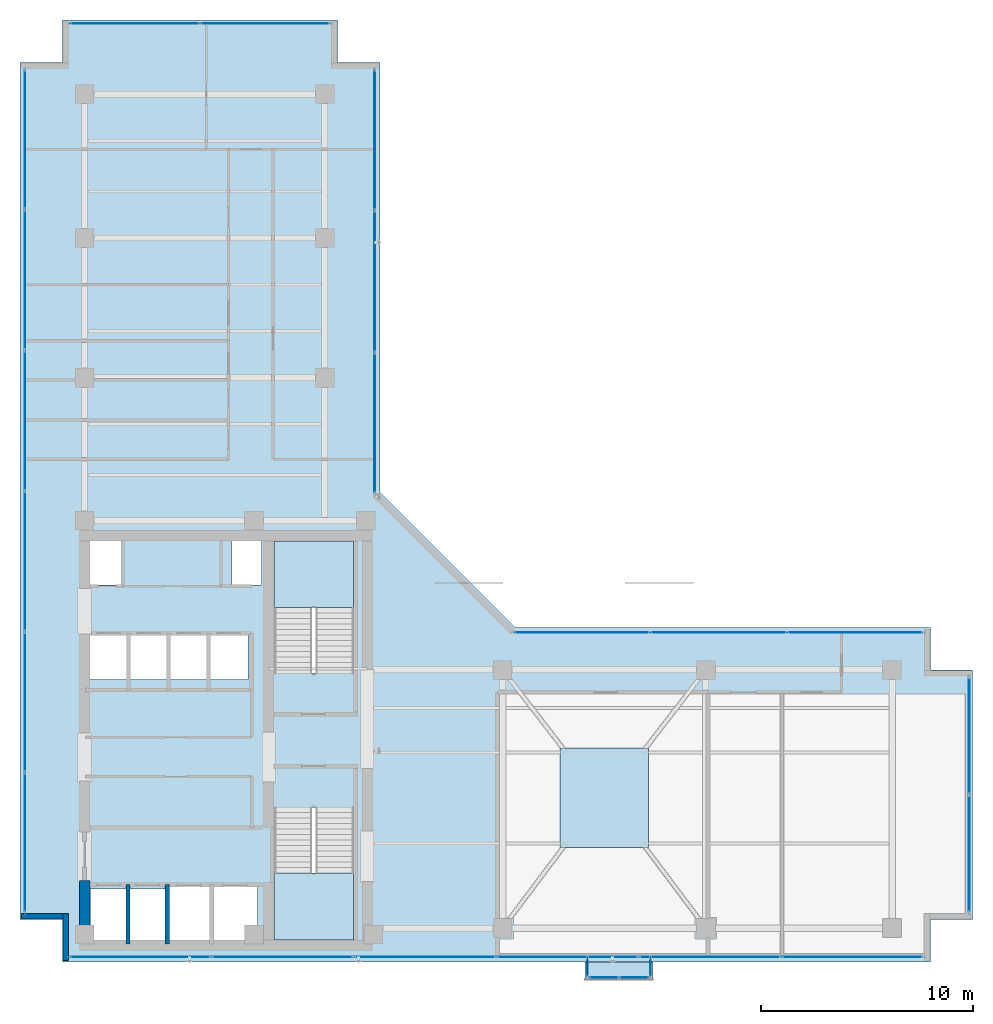
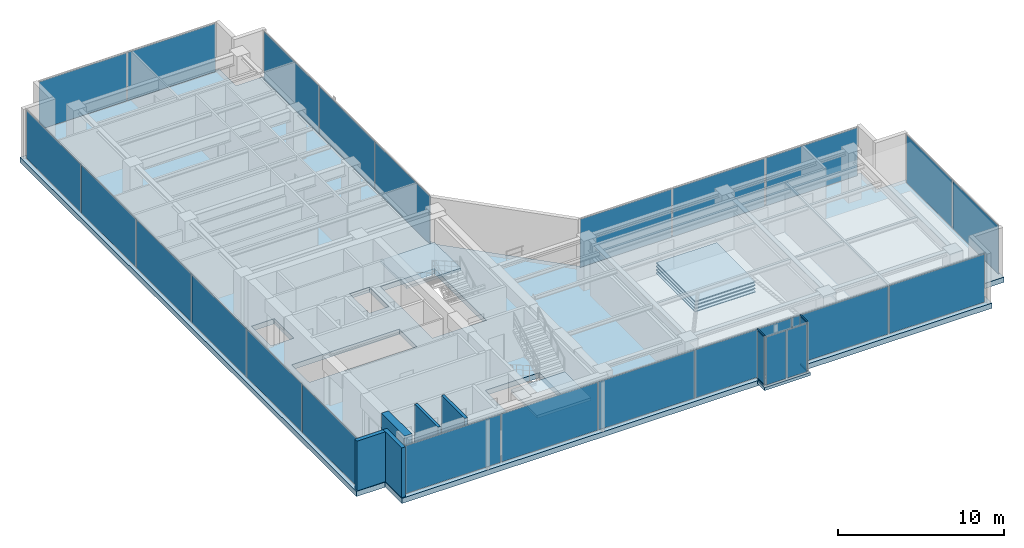
# One storey, part 23 of 31: 30 plates, 5 walls, 4 members, 4 slabs, 11 elements without a shape of their own.
"""IFC4 building model written with IfcOpenShell, lengths in metres."""

from ifc_helpers import new_model, si_unit, direction, frame, frame_2d, origin, origin_with_axes, origin_2d, place, context, subcontext, project, spatial, polyline, rectangle, hollow_rectangle, outline, extrude, source, transform, mapped, material, layer, layer_set, material_profile, profile_set, type_object, element, aggregate, save


model = new_model("IFC4")

# Units and contexts
model_context = context("Model", 3, precision=1e-05, world=origin(), true_north=direction((0.0, 1.0)))
body_context = subcontext(model_context, "Body", "Model", "MODEL_VIEW")
ifc_project = project(units=[si_unit("LENGTHUNIT", "METRE"), si_unit("AREAUNIT", "SQUARE_METRE"), si_unit("VOLUMEUNIT", "CUBIC_METRE"), si_unit("PLANEANGLEUNIT", "RADIAN"), si_unit("MASSUNIT", "GRAM", prefix="KILO")], contexts=[model_context])

# Site, building, storey
site_placement = place(None, origin())
site = spatial("IfcSite", under=ifc_project, at=site_placement, CompositionType="ELEMENT")
building_placement = place(site_placement, origin())
building = spatial("IfcBuilding", under=site, at=building_placement, Name="Kolvaren Waterfront Exchange", CompositionType="ELEMENT")
storey_placement = place(building_placement, frame((0.0, 0.0, 344.199951171875)))
storey = spatial("IfcBuildingStorey", under=building, at=storey_placement, Name="L88", CompositionType="ELEMENT", Elevation=344.199951171875)

# Curtain wall, members
ifc_material_1 = material(Name="Anodised bronze aluminium 6063-T6", Category="aluminium")
ifc_layer_1 = layer(ifc_material_1, 0.219970703125, Name="Anodised bronze aluminium 6063-T6")
ifc_layer_set_1 = layer_set([ifc_layer_1], Name="Anodised bronze aluminium 6063-T6")
curtain_wall_type_1 = type_object("IfcCurtainWallType", Name="ARC-CW-SYS3", PredefinedType="USERDEFINED", material=ifc_layer_set_1)
curtain_wall_1_placement = place(storey_placement, origin())
curtain_wall_1 = element("IfcCurtainWall", 1, at=curtain_wall_1_placement, inside=storey, type_object=curtain_wall_type_1, Name="L88 stick curtain wall CW3 (CW-L88-BOX-W)", ObjectType="STICK CURTAIN WALL", PredefinedType="USERDEFINED")
ifc_material_profile = material_profile(ifc_material_1, hollow_rectangle(XDim=0.06494140625, YDim=0.1298828125, WallThickness=0.00390625, at=origin_2d()), Name="ALU-TRN-130x65x4")
ifc_profile_set = profile_set([ifc_material_profile], Name="Anodised bronze aluminium 6063-T6")
member_type = type_object("IfcMemberType", Name="ARC-CWT-130", PredefinedType="USERDEFINED", material=ifc_profile_set)
shared_shape_1 = source(origin_with_axes(), body_context, "Body", "SweptSolid", [
    extrude(hollow_rectangle(XDim=0.06494140625, YDim=0.1298828125, WallThickness=0.00390625, at=origin_2d()), origin(), (0.0, 0.0, 1.0), 0.829833984375),
])
member_1_placement = place(storey_placement, frame((31.2099609375, 3.764892578125, 0.032470703125), z_axis=(0.0, -1.0, 0.0), x_axis=(1.0, 0.0, 0.0)))
member_1 = element("IfcMember", 2, at=member_1_placement, type_object=member_type, Name="CW3 transom 1.1", ObjectType="TRANSOM", PredefinedType="USERDEFINED", context=body_context, shape_type="MappedRepresentation", body=[
    mapped(shared_shape_1, transform((0.0, 0.0, 0.0), x_axis=(1.0, 0.0, 0.0), y_axis=(0.0, 1.0, 0.0), z_axis=(0.0, 0.0, 1.0), scale=1.0)),
])
member_2_placement = place(storey_placement, frame((31.2099609375, 3.764892578125, 3.62744140625), z_axis=(0.0, -1.0, 0.0), x_axis=(1.0, 0.0, 0.0)))
member_2 = element("IfcMember", 3, at=member_2_placement, type_object=member_type, Name="CW3 transom 1.2", ObjectType="TRANSOM", PredefinedType="USERDEFINED", context=body_context, shape_type="MappedRepresentation", body=[
    mapped(shared_shape_1, transform((0.0, 0.0, 0.0), x_axis=(1.0, 0.0, 0.0), y_axis=(0.0, 1.0, 0.0), z_axis=(0.0, 0.0, 1.0), scale=1.0)),
])

curtain_wall_2_placement = place(storey_placement, origin())
curtain_wall_2 = element("IfcCurtainWall", 4, at=curtain_wall_2_placement, inside=storey, type_object=curtain_wall_type_1, Name="L88 stick curtain wall CW3 (CW-L88-BOX-E)", ObjectType="STICK CURTAIN WALL", PredefinedType="USERDEFINED")
member_3_placement = place(storey_placement, frame((34.18994140625, 2.93505859375, 0.032470703125), z_axis=(0.0, 1.0, 0.0), x_axis=(-1.0, 0.0, 0.0)))
member_3 = element("IfcMember", 5, at=member_3_placement, type_object=member_type, Name="CW3 transom 1.1", ObjectType="TRANSOM", PredefinedType="USERDEFINED", context=body_context, shape_type="MappedRepresentation", body=[
    mapped(shared_shape_1, transform((0.0, 0.0, 0.0), x_axis=(1.0, 0.0, 0.0), y_axis=(0.0, 1.0, 0.0), z_axis=(0.0, 0.0, 1.0), scale=1.0)),
])
member_4_placement = place(storey_placement, frame((34.18994140625, 2.93505859375, 3.62744140625), z_axis=(0.0, 1.0, 0.0), x_axis=(-1.0, 0.0, 0.0)))
member_4 = element("IfcMember", 6, at=member_4_placement, type_object=member_type, Name="CW3 transom 1.2", ObjectType="TRANSOM", PredefinedType="USERDEFINED", context=body_context, shape_type="MappedRepresentation", body=[
    mapped(shared_shape_1, transform((0.0, 0.0, 0.0), x_axis=(1.0, 0.0, 0.0), y_axis=(0.0, 1.0, 0.0), z_axis=(0.0, 0.0, 1.0), scale=1.0)),
])

# Stair, slab
ifc_material_2 = material(Name="Concrete C40/50", Category="concrete")
stair_type = type_object("IfcStairType", Name="ARC-STAIR-3900", PredefinedType="HALF_TURN_STAIR", material=ifc_material_2)
stair_1_placement = place(storey_placement, origin())
stair_1 = element("IfcStair", 7, at=stair_1_placement, inside=storey, type_object=stair_type, Name="L88 Smoke-proof exit stair ST1", PredefinedType="HALF_TURN_STAIR")
ifc_layer_2 = layer(ifc_material_2, 0.199951171875, Name="Concrete C40/50")
ifc_layer_set_2 = layer_set([ifc_layer_2], Name="Concrete C40/50")
slab_type_1 = type_object("IfcSlabType", Name="STR-LANDING-200", PredefinedType="LANDING", material=ifc_layer_set_2)
slab_1_placement = place(storey_placement, frame((0.0, 0.0, 1.75)))
slab_1 = element("IfcSlab", 8, at=slab_1_placement, type_object=slab_type_1, Name="ST1 landing 1", PredefinedType="LANDING", context=body_context, shape_type="SweptSolid", body=[
    extrude(outline(polyline([(16.39990234375, 7.81005859375), (16.39990234375, 4.64990234375), (20.159912109375, 4.64990234375), (20.159912109375, 7.81005859375), (16.39990234375, 7.81005859375)])), origin(), (0.0, 0.0, 1.0), 0.199951171875),
])
aggregate(stair_1, [slab_1])

stair_2_placement = place(storey_placement, origin())
stair_2 = element("IfcStair", 9, at=stair_2_placement, inside=storey, type_object=stair_type, Name="L88 Smoke-proof exit stair ST2", PredefinedType="HALF_TURN_STAIR")
slab_2_placement = place(storey_placement, frame((0.0, 0.0, 1.75)))
slab_2 = element("IfcSlab", 10, at=slab_2_placement, type_object=slab_type_1, Name="ST2 landing 1", PredefinedType="LANDING", context=body_context, shape_type="SweptSolid", body=[
    extrude(outline(polyline([(20.159912109375, 20.340087890625), (20.159912109375, 23.5), (16.39990234375, 23.5), (16.39990234375, 20.340087890625), (20.159912109375, 20.340087890625)])), origin(), (0.0, 0.0, 1.0), 0.199951171875),
])
aggregate(stair_2, [slab_2])

# Slabs
ifc_layer_3 = layer(ifc_material_2, 0.3798828125, Name="Concrete C40/50")
ifc_layer_set_3 = layer_set([ifc_layer_3], Name="Concrete C40/50")
slab_type_2 = type_object("IfcSlabType", Name="STR-SLAB-380", PredefinedType="FLOOR", material=ifc_layer_set_3)
slab_3_placement = place(storey_placement, frame((0.0, 0.0, -0.3798828125)))
element("IfcSlab", 11, at=slab_3_placement, inside=storey, type_object=slab_type_2, Name="L88 structural floor slab", PredefinedType="FLOOR", context=body_context, shape_type="SweptSolid", body=[
    extrude(outline(polyline([(6.39990234375, 3.60009765625), (47.39990234375, 3.60009765625), (47.39990234375, 5.60009765625), (49.39990234375, 5.60009765625), (49.39990234375, 17.39990234375), (47.39990234375, 17.39990234375), (47.39990234375, 19.39990234375), (27.800048828125, 19.39990234375), (21.39990234375, 25.800048828125), (21.39990234375, 46.10009765625), (19.39990234375, 46.10009765625), (19.39990234375, 48.10009765625), (6.39990234375, 48.10009765625), (6.39990234375, 46.10009765625), (4.39990234375, 46.10009765625), (4.39990234375, 5.60009765625), (6.39990234375, 5.60009765625), (6.39990234375, 3.60009765625)]), holes=[polyline([(11.320068359375, 7.260009765625), (15.610107421875, 7.260009765625), (15.610107421875, 4.5400390625), (7.719970703125, 4.5400390625), (7.719970703125, 7.06005859375), (11.320068359375, 7.06005859375), (11.320068359375, 7.260009765625)]), polyline([(20.159912109375, 10.89990234375), (20.159912109375, 4.64990234375), (16.39990234375, 4.64990234375), (16.39990234375, 10.89990234375), (20.159912109375, 10.89990234375)]), polyline([(7.669921875, 19.06005859375), (15.159912109375, 19.06005859375), (15.159912109375, 16.93994140625), (7.669921875, 16.93994140625), (7.669921875, 19.06005859375)]), polyline([(16.39990234375, 17.25), (16.39990234375, 23.5), (20.159912109375, 23.5), (20.159912109375, 17.25), (16.39990234375, 17.25)]), polyline([(7.60009765625, 23.780029296875), (9.179931640625, 23.780029296875), (9.179931640625, 21.419921875), (7.60009765625, 21.419921875), (7.60009765625, 23.780029296875)]), polyline([(14.419921875, 23.780029296875), (15.800048828125, 23.780029296875), (15.800048828125, 21.419921875), (14.419921875, 21.419921875), (14.419921875, 23.780029296875)])]), origin(), (0.0, 0.0, 1.0), 0.3798828125),
])
ifc_layer_4 = layer(ifc_material_2, 0.219970703125, Name="Concrete C40/50")
ifc_layer_set_4 = layer_set([ifc_layer_4], Name="Concrete C40/50")
slab_type_3 = type_object("IfcSlabType", Name="STR-TERR-220", PredefinedType="FLOOR", material=ifc_layer_set_4)
slab_4_placement = place(storey_placement, frame((0.0, 0.0, -0.219970703125)))
element("IfcSlab", 12, at=slab_4_placement, inside=storey, type_object=slab_type_3, Name="L88 projecting bay-box floor strip", PredefinedType="FLOOR", context=body_context, shape_type="SweptSolid", body=[
    extrude(outline(polyline([(31.10009765625, 2.75), (34.300048828125, 2.75), (34.300048828125, 3.60009765625), (31.10009765625, 3.60009765625), (31.10009765625, 2.75)])), origin(), (0.0, 0.0, 1.0), 0.219970703125),
])

# Plates
ifc_material_3 = material(Name="Steel S460", Category="steel")
ifc_layer_5 = layer(ifc_material_3, 0.06005859375, Name="Steel S460")
ifc_layer_set_5 = layer_set([ifc_layer_5], Name="Steel S460")
plate_type_1 = type_object("IfcPlateType", Name="STR-PL-TMD", PredefinedType="SHEET", material=ifc_layer_set_5)
shared_shape_2 = source(origin_with_axes(), body_context, "Body", "SweptSolid", [
    extrude(rectangle(XDim=4.199951171875, YDim=4.699951171875, at=origin_2d()), origin(), (0.0, 0.0, 1.0), 0.06005859375),
])
for number, where, z_axis, x_axis, name in (
    (13, (32.0, 11.35009765625, 2.169921875), (0.0, 0.0, 1.0), (1.0, 0.0, 0.0), "Crown 520t TUNED MASS DAMPER steel mass plate 1"),
    (14, (32.0, 11.35009765625, 2.419921875), (0.0, 0.0, 1.0), (1.0, 0.0, 0.0), "Crown 520t TUNED MASS DAMPER steel mass plate 2"),
    (15, (32.0, 11.35009765625, 2.669921875), (0.0, 0.0, 1.0), (1.0, 0.0, 0.0), "Crown 520t TUNED MASS DAMPER steel mass plate 3"),
    (16, (32.0, 11.35009765625, 2.919921875), (0.0, 0.0, 1.0), (1.0, 0.0, 0.0), "Crown 520t TUNED MASS DAMPER steel mass plate 4"),
):
    element("IfcPlate", number, at=place(storey_placement, frame(where, z_axis=z_axis, x_axis=x_axis)), inside=storey, type_object=plate_type_1, Name=name, PredefinedType="SHEET", context=body_context, shape_type="MappedRepresentation", body=[
        mapped(shared_shape_2, transform((0.0, 0.0, 0.0), x_axis=(1.0, 0.0, 0.0), y_axis=(0.0, 1.0, 0.0), z_axis=(0.0, 0.0, 1.0), scale=1.0)),
    ])

# Plate
ifc_material_4 = material(Name="Bronze tinted bay-box vision glass", Category="aluminium")
ifc_layer_6 = layer(ifc_material_4, 0.02392578125, Name="Bronze tinted bay-box vision glass")
ifc_layer_set_6 = layer_set([ifc_layer_6], Name="Bronze tinted bay-box vision glass")
plate_type_2 = type_object("IfcPlateType", Name="ARC-CWP-24", PredefinedType="CURTAIN_PANEL", material=ifc_layer_set_6)
shared_shape_3 = source(origin_with_axes(), body_context, "Body", "SweptSolid", [
    extrude(rectangle(XDim=0.830078125, YDim=0.02392578125, at=origin_2d()), origin(), (0.0, 0.0, 1.0), 3.530029296875),
])
plate_1_placement = place(storey_placement, frame((31.2099609375, 3.35009765625, 0.06494140625), z_axis=(0.0, 0.0, 1.0), x_axis=(0.0, -1.0, 0.0)))
plate_1 = element("IfcPlate", 17, at=plate_1_placement, type_object=plate_type_2, Name="CW3 panel 1.1", PredefinedType="CURTAIN_PANEL", context=body_context, shape_type="MappedRepresentation", body=[
    mapped(shared_shape_3, transform((0.0, 0.0, 0.0), x_axis=(1.0, 0.0, 0.0), y_axis=(0.0, 1.0, 0.0), z_axis=(0.0, 0.0, 1.0), scale=1.0)),
])

aggregate(curtain_wall_1, [member_1, member_2, plate_1])

plate_2_placement = place(storey_placement, frame((34.18994140625, 3.35009765625, 0.06494140625), z_axis=(0.0, 0.0, 1.0), x_axis=(0.0, 1.0, 0.0)))
plate_2 = element("IfcPlate", 18, at=plate_2_placement, type_object=plate_type_2, Name="CW3 panel 1.1", PredefinedType="CURTAIN_PANEL", context=body_context, shape_type="MappedRepresentation", body=[
    mapped(shared_shape_3, transform((0.0, 0.0, 0.0), x_axis=(1.0, 0.0, 0.0), y_axis=(0.0, 1.0, 0.0), z_axis=(0.0, 0.0, 1.0), scale=1.0)),
])

aggregate(curtain_wall_2, [member_3, member_4, plate_2])

# Curtain wall, plates
curtain_wall_3_placement = place(storey_placement, origin())
curtain_wall_3 = element("IfcCurtainWall", 19, at=curtain_wall_3_placement, inside=storey, type_object=curtain_wall_type_1, Name="L88 stick curtain wall CW3 (CW-L88-BOX)", ObjectType="STICK CURTAIN WALL", PredefinedType="USERDEFINED")
shared_shape_4 = source(origin_with_axes(), body_context, "Body", "SweptSolid", [
    extrude(rectangle(XDim=1.37744140625, YDim=0.02392578125, at=origin_2d()), origin(), (0.0, 0.0, 1.0), 3.530029296875),
])
plate_3_placement = place(storey_placement, frame((31.9736328125, 2.860107421875, 0.06494140625), z_axis=(0.0, 0.0, 1.0), x_axis=(1.0, 0.0, 0.0)))
plate_3 = element("IfcPlate", 20, at=plate_3_placement, type_object=plate_type_2, Name="CW3 panel 1.1", PredefinedType="CURTAIN_PANEL", context=body_context, shape_type="MappedRepresentation", body=[
    mapped(shared_shape_4, transform((0.0, 0.0, 0.0), x_axis=(1.0, 0.0, 0.0), y_axis=(0.0, 1.0, 0.0), z_axis=(0.0, 0.0, 1.0), scale=1.0)),
])
plate_4_placement = place(storey_placement, frame((33.42626953125, 2.860107421875, 0.06494140625), z_axis=(0.0, 0.0, 1.0), x_axis=(1.0, 0.0, 0.0)))
plate_4 = element("IfcPlate", 21, at=plate_4_placement, type_object=plate_type_2, Name="CW3 panel 2.1", PredefinedType="CURTAIN_PANEL", context=body_context, shape_type="MappedRepresentation", body=[
    mapped(shared_shape_4, transform((0.0, 0.0, 0.0), x_axis=(1.0, 0.0, 0.0), y_axis=(0.0, 1.0, 0.0), z_axis=(0.0, 0.0, 1.0), scale=1.0)),
])
aggregate(curtain_wall_3, [plate_3, plate_4])

ifc_layer_7 = layer(ifc_material_1, 0.219970703125, Name="Anodised bronze aluminium 6063-T6")
ifc_layer_set_7 = layer_set([ifc_layer_7], Name="Anodised bronze aluminium 6063-T6")
curtain_wall_type_2 = type_object("IfcCurtainWallType", Name="ARC-CW-SYS5", PredefinedType="USERDEFINED", material=ifc_layer_set_7)
curtain_wall_4_placement = place(storey_placement, origin())
curtain_wall_4 = element("IfcCurtainWall", 22, at=curtain_wall_4_placement, inside=storey, type_object=curtain_wall_type_2, Name="L88 stick curtain wall CW5 (CW-L88-S)", ObjectType="STICK CURTAIN WALL", PredefinedType="USERDEFINED")
ifc_material_5 = material(Name="Crown lantern clear solar glass", Category="glass")
ifc_layer_8 = layer(ifc_material_5, 0.030029296875, Name="Crown lantern clear solar glass")
ifc_layer_set_8 = layer_set([ifc_layer_8], Name="Crown lantern clear solar glass")
plate_type_3 = type_object("IfcPlateType", Name="ARC-CWP-30", PredefinedType="CURTAIN_PANEL", material=ifc_layer_set_8)
shared_shape_5 = source(origin_with_axes(), body_context, "Body", "SweptSolid", [
    extrude(rectangle(XDim=6.620849609375, YDim=0.030029296875, at=origin_2d()), origin(), (0.0, 0.0, 1.0), 3.530029296875),
])
plate_5_placement = place(storey_placement, frame((10.08544921875, 3.840087890625, 0.06494140625), z_axis=(0.0, 0.0, 1.0), x_axis=(1.0, 0.0, 0.0)))
plate_5 = element("IfcPlate", 23, at=plate_5_placement, type_object=plate_type_3, Name="CW5 panel 1.1", PredefinedType="CURTAIN_PANEL", context=body_context, shape_type="MappedRepresentation", body=[
    mapped(shared_shape_5, transform((0.0, 0.0, 0.0), x_axis=(1.0, 0.0, 0.0), y_axis=(0.0, 1.0, 0.0), z_axis=(0.0, 0.0, 1.0), scale=1.0)),
])
plate_6_placement = place(storey_placement, frame((43.714599609375, 3.840087890625, 0.06494140625), z_axis=(0.0, 0.0, 1.0), x_axis=(1.0, 0.0, 0.0)))
plate_6 = element("IfcPlate", 24, at=plate_6_placement, type_object=plate_type_3, Name="CW5 panel 6.1", PredefinedType="CURTAIN_PANEL", context=body_context, shape_type="MappedRepresentation", body=[
    mapped(shared_shape_5, transform((0.0, 0.0, 0.0), x_axis=(1.0, 0.0, 0.0), y_axis=(0.0, 1.0, 0.0), z_axis=(0.0, 0.0, 1.0), scale=1.0)),
])
shared_shape_6 = source(origin_with_axes(), body_context, "Body", "SweptSolid", [
    extrude(rectangle(XDim=6.658447265625, YDim=0.030029296875, at=origin_2d()), origin(), (0.0, 0.0, 1.0), 3.530029296875),
])
plate_7_placement = place(storey_placement, frame((16.800048828125, 3.840087890625, 0.06494140625), z_axis=(0.0, 0.0, 1.0), x_axis=(1.0, 0.0, 0.0)))
plate_7 = element("IfcPlate", 25, at=plate_7_placement, type_object=plate_type_3, Name="CW5 panel 2.1", PredefinedType="CURTAIN_PANEL", context=body_context, shape_type="MappedRepresentation", body=[
    mapped(shared_shape_6, transform((0.0, 0.0, 0.0), x_axis=(1.0, 0.0, 0.0), y_axis=(0.0, 1.0, 0.0), z_axis=(0.0, 0.0, 1.0), scale=1.0)),
])
plate_8_placement = place(storey_placement, frame((23.533447265625, 3.840087890625, 0.06494140625), z_axis=(0.0, 0.0, 1.0), x_axis=(1.0, 0.0, 0.0)))
plate_8 = element("IfcPlate", 26, at=plate_8_placement, type_object=plate_type_3, Name="CW5 panel 3.1", PredefinedType="CURTAIN_PANEL", context=body_context, shape_type="MappedRepresentation", body=[
    mapped(shared_shape_6, transform((0.0, 0.0, 0.0), x_axis=(1.0, 0.0, 0.0), y_axis=(0.0, 1.0, 0.0), z_axis=(0.0, 0.0, 1.0), scale=1.0)),
])
plate_9_placement = place(storey_placement, frame((30.2666015625, 3.840087890625, 0.06494140625), z_axis=(0.0, 0.0, 1.0), x_axis=(1.0, 0.0, 0.0)))
plate_9 = element("IfcPlate", 27, at=plate_9_placement, type_object=plate_type_3, Name="CW5 panel 4.1", PredefinedType="CURTAIN_PANEL", context=body_context, shape_type="MappedRepresentation", body=[
    mapped(shared_shape_6, transform((0.0, 0.0, 0.0), x_axis=(1.0, 0.0, 0.0), y_axis=(0.0, 1.0, 0.0), z_axis=(0.0, 0.0, 1.0), scale=1.0)),
])
plate_10_placement = place(storey_placement, frame((37.0, 3.840087890625, 0.06494140625), z_axis=(0.0, 0.0, 1.0), x_axis=(1.0, 0.0, 0.0)))
plate_10 = element("IfcPlate", 28, at=plate_10_placement, type_object=plate_type_3, Name="CW5 panel 5.1", PredefinedType="CURTAIN_PANEL", context=body_context, shape_type="MappedRepresentation", body=[
    mapped(shared_shape_6, transform((0.0, 0.0, 0.0), x_axis=(1.0, 0.0, 0.0), y_axis=(0.0, 1.0, 0.0), z_axis=(0.0, 0.0, 1.0), scale=1.0)),
])
aggregate(curtain_wall_4, [plate_5, plate_7, plate_8, plate_9, plate_10, plate_6])

curtain_wall_5_placement = place(storey_placement, origin())
curtain_wall_5 = element("IfcCurtainWall", 29, at=curtain_wall_5_placement, inside=storey, type_object=curtain_wall_type_2, Name="L88 stick curtain wall CW5 (CW-L88-W)", ObjectType="STICK CURTAIN WALL", PredefinedType="USERDEFINED")
shared_shape_7 = source(origin_with_axes(), body_context, "Body", "SweptSolid", [
    extrude(rectangle(XDim=6.53759765625, YDim=0.030029296875, at=origin_2d()), origin(), (0.0, 0.0, 1.0), 3.530029296875),
])
plate_11_placement = place(storey_placement, frame((4.639892578125, 9.24365234375, 0.06494140625), z_axis=(0.0, 0.0, 1.0), x_axis=(0.0, 1.0, 0.0)))
plate_11 = element("IfcPlate", 30, at=plate_11_placement, type_object=plate_type_3, Name="CW5 panel 1.1", PredefinedType="CURTAIN_PANEL", context=body_context, shape_type="MappedRepresentation", body=[
    mapped(shared_shape_7, transform((0.0, 0.0, 0.0), x_axis=(1.0, 0.0, 0.0), y_axis=(0.0, 1.0, 0.0), z_axis=(0.0, 0.0, 1.0), scale=1.0)),
])
plate_12_placement = place(storey_placement, frame((4.639892578125, 42.456298828125, 0.06494140625), z_axis=(0.0, 0.0, 1.0), x_axis=(0.0, 1.0, 0.0)))
plate_12 = element("IfcPlate", 31, at=plate_12_placement, type_object=plate_type_3, Name="CW5 panel 6.1", PredefinedType="CURTAIN_PANEL", context=body_context, shape_type="MappedRepresentation", body=[
    mapped(shared_shape_7, transform((0.0, 0.0, 0.0), x_axis=(1.0, 0.0, 0.0), y_axis=(0.0, 1.0, 0.0), z_axis=(0.0, 0.0, 1.0), scale=1.0)),
])
shared_shape_8 = source(origin_with_axes(), body_context, "Body", "SweptSolid", [
    extrude(rectangle(XDim=6.574951171875, YDim=0.030029296875, at=origin_2d()), origin(), (0.0, 0.0, 1.0), 3.530029296875),
])
plate_13_placement = place(storey_placement, frame((4.639892578125, 15.875, 0.06494140625), z_axis=(0.0, 0.0, 1.0), x_axis=(0.0, 1.0, 0.0)))
plate_13 = element("IfcPlate", 32, at=plate_13_placement, type_object=plate_type_3, Name="CW5 panel 2.1", PredefinedType="CURTAIN_PANEL", context=body_context, shape_type="MappedRepresentation", body=[
    mapped(shared_shape_8, transform((0.0, 0.0, 0.0), x_axis=(1.0, 0.0, 0.0), y_axis=(0.0, 1.0, 0.0), z_axis=(0.0, 0.0, 1.0), scale=1.0)),
])
plate_14_placement = place(storey_placement, frame((4.639892578125, 22.52490234375, 0.06494140625), z_axis=(0.0, 0.0, 1.0), x_axis=(0.0, 1.0, 0.0)))
plate_14 = element("IfcPlate", 33, at=plate_14_placement, type_object=plate_type_3, Name="CW5 panel 3.1", PredefinedType="CURTAIN_PANEL", context=body_context, shape_type="MappedRepresentation", body=[
    mapped(shared_shape_8, transform((0.0, 0.0, 0.0), x_axis=(1.0, 0.0, 0.0), y_axis=(0.0, 1.0, 0.0), z_axis=(0.0, 0.0, 1.0), scale=1.0)),
])
plate_15_placement = place(storey_placement, frame((4.639892578125, 29.175048828125, 0.06494140625), z_axis=(0.0, 0.0, 1.0), x_axis=(0.0, 1.0, 0.0)))
plate_15 = element("IfcPlate", 34, at=plate_15_placement, type_object=plate_type_3, Name="CW5 panel 4.1", PredefinedType="CURTAIN_PANEL", context=body_context, shape_type="MappedRepresentation", body=[
    mapped(shared_shape_8, transform((0.0, 0.0, 0.0), x_axis=(1.0, 0.0, 0.0), y_axis=(0.0, 1.0, 0.0), z_axis=(0.0, 0.0, 1.0), scale=1.0)),
])
plate_16_placement = place(storey_placement, frame((4.639892578125, 35.824951171875, 0.06494140625), z_axis=(0.0, 0.0, 1.0), x_axis=(0.0, 1.0, 0.0)))
plate_16 = element("IfcPlate", 35, at=plate_16_placement, type_object=plate_type_3, Name="CW5 panel 5.1", PredefinedType="CURTAIN_PANEL", context=body_context, shape_type="MappedRepresentation", body=[
    mapped(shared_shape_8, transform((0.0, 0.0, 0.0), x_axis=(1.0, 0.0, 0.0), y_axis=(0.0, 1.0, 0.0), z_axis=(0.0, 0.0, 1.0), scale=1.0)),
])
aggregate(curtain_wall_5, [plate_11, plate_13, plate_14, plate_15, plate_16, plate_12])

curtain_wall_6_placement = place(storey_placement, origin())
curtain_wall_6 = element("IfcCurtainWall", 36, at=curtain_wall_6_placement, inside=storey, type_object=curtain_wall_type_2, Name="L88 stick curtain wall CW5 (CW-L88-NE)", ObjectType="STICK CURTAIN WALL", PredefinedType="USERDEFINED")
shared_shape_9 = source(origin_with_axes(), body_context, "Body", "SweptSolid", [
    extrude(rectangle(XDim=6.5908203125, YDim=0.030029296875, at=origin_2d()), origin(), (0.0, 0.0, 1.0), 3.530029296875),
])
plate_17_placement = place(storey_placement, frame((21.159912109375, 29.060302734375, 0.06494140625), z_axis=(0.0, 0.0, 1.0), x_axis=(0.0, 1.0, 0.0)))
plate_17 = element("IfcPlate", 37, at=plate_17_placement, type_object=plate_type_3, Name="CW5 panel 1.1", PredefinedType="CURTAIN_PANEL", context=body_context, shape_type="MappedRepresentation", body=[
    mapped(shared_shape_9, transform((0.0, 0.0, 0.0), x_axis=(1.0, 0.0, 0.0), y_axis=(0.0, 1.0, 0.0), z_axis=(0.0, 0.0, 1.0), scale=1.0)),
])
plate_18_placement = place(storey_placement, frame((21.159912109375, 42.4296875, 0.06494140625), z_axis=(0.0, 0.0, 1.0), x_axis=(0.0, 1.0, 0.0)))
plate_18 = element("IfcPlate", 38, at=plate_18_placement, type_object=plate_type_3, Name="CW5 panel 3.1", PredefinedType="CURTAIN_PANEL", context=body_context, shape_type="MappedRepresentation", body=[
    mapped(shared_shape_9, transform((0.0, 0.0, 0.0), x_axis=(1.0, 0.0, 0.0), y_axis=(0.0, 1.0, 0.0), z_axis=(0.0, 0.0, 1.0), scale=1.0)),
])
shared_shape_10 = source(origin_with_axes(), body_context, "Body", "SweptSolid", [
    extrude(rectangle(XDim=6.62841796875, YDim=0.030029296875, at=origin_2d()), origin(), (0.0, 0.0, 1.0), 3.530029296875),
])
plate_19_placement = place(storey_placement, frame((21.159912109375, 35.7451171875, 0.06494140625), z_axis=(0.0, 0.0, 1.0), x_axis=(0.0, 1.0, 0.0)))
plate_19 = element("IfcPlate", 39, at=plate_19_placement, type_object=plate_type_3, Name="CW5 panel 2.1", PredefinedType="CURTAIN_PANEL", context=body_context, shape_type="MappedRepresentation", body=[
    mapped(shared_shape_10, transform((0.0, 0.0, 0.0), x_axis=(1.0, 0.0, 0.0), y_axis=(0.0, 1.0, 0.0), z_axis=(0.0, 0.0, 1.0), scale=1.0)),
])
aggregate(curtain_wall_6, [plate_17, plate_19, plate_18])

curtain_wall_7_placement = place(storey_placement, origin())
curtain_wall_7 = element("IfcCurtainWall", 40, at=curtain_wall_7_placement, inside=storey, type_object=curtain_wall_type_2, Name="L88 stick curtain wall CW5 (CW-L88-EN)", ObjectType="STICK CURTAIN WALL", PredefinedType="USERDEFINED")
shared_shape_11 = source(origin_with_axes(), body_context, "Body", "SweptSolid", [
    extrude(rectangle(XDim=6.357421875, YDim=0.030029296875, at=origin_2d()), origin(), (0.0, 0.0, 1.0), 3.530029296875),
])
plate_20_placement = place(storey_placement, frame((30.94384765625, 19.159912109375, 0.06494140625), z_axis=(0.0, 0.0, 1.0), x_axis=(1.0, 0.0, 0.0)))
plate_20 = element("IfcPlate", 41, at=plate_20_placement, type_object=plate_type_3, Name="CW5 panel 1.1", PredefinedType="CURTAIN_PANEL", context=body_context, shape_type="MappedRepresentation", body=[
    mapped(shared_shape_11, transform((0.0, 0.0, 0.0), x_axis=(1.0, 0.0, 0.0), y_axis=(0.0, 1.0, 0.0), z_axis=(0.0, 0.0, 1.0), scale=1.0)),
])
plate_21_placement = place(storey_placement, frame((43.84619140625, 19.159912109375, 0.06494140625), z_axis=(0.0, 0.0, 1.0), x_axis=(1.0, 0.0, 0.0)))
plate_21 = element("IfcPlate", 42, at=plate_21_placement, type_object=plate_type_3, Name="CW5 panel 3.1", PredefinedType="CURTAIN_PANEL", context=body_context, shape_type="MappedRepresentation", body=[
    mapped(shared_shape_11, transform((0.0, 0.0, 0.0), x_axis=(1.0, 0.0, 0.0), y_axis=(0.0, 1.0, 0.0), z_axis=(0.0, 0.0, 1.0), scale=1.0)),
])
shared_shape_12 = source(origin_with_axes(), body_context, "Body", "SweptSolid", [
    extrude(rectangle(XDim=6.39501953125, YDim=0.030029296875, at=origin_2d()), origin(), (0.0, 0.0, 1.0), 3.530029296875),
])
plate_22_placement = place(storey_placement, frame((37.39501953125, 19.159912109375, 0.06494140625), z_axis=(0.0, 0.0, 1.0), x_axis=(1.0, 0.0, 0.0)))
plate_22 = element("IfcPlate", 43, at=plate_22_placement, type_object=plate_type_3, Name="CW5 panel 2.1", PredefinedType="CURTAIN_PANEL", context=body_context, shape_type="MappedRepresentation", body=[
    mapped(shared_shape_12, transform((0.0, 0.0, 0.0), x_axis=(1.0, 0.0, 0.0), y_axis=(0.0, 1.0, 0.0), z_axis=(0.0, 0.0, 1.0), scale=1.0)),
])
aggregate(curtain_wall_7, [plate_20, plate_22, plate_21])

curtain_wall_8_placement = place(storey_placement, origin())
curtain_wall_8 = element("IfcCurtainWall", 44, at=curtain_wall_8_placement, inside=storey, type_object=curtain_wall_type_2, Name="L88 stick curtain wall CW5 (CW-L88-ET)", ObjectType="STICK CURTAIN WALL", PredefinedType="USERDEFINED")
shared_shape_13 = source(origin_with_axes(), body_context, "Body", "SweptSolid", [
    extrude(rectangle(XDim=5.487548828125, YDim=0.030029296875, at=origin_2d()), origin(), (0.0, 0.0, 1.0), 3.530029296875),
])
plate_23_placement = place(storey_placement, frame((49.239990234375, 8.71875, 0.06494140625), z_axis=(0.0, 0.0, 1.0), x_axis=(0.0, 1.0, 0.0)))
plate_23 = element("IfcPlate", 45, at=plate_23_placement, type_object=plate_type_3, Name="CW5 panel 1.1", PredefinedType="CURTAIN_PANEL", context=body_context, shape_type="MappedRepresentation", body=[
    mapped(shared_shape_13, transform((0.0, 0.0, 0.0), x_axis=(1.0, 0.0, 0.0), y_axis=(0.0, 1.0, 0.0), z_axis=(0.0, 0.0, 1.0), scale=1.0)),
])
plate_24_placement = place(storey_placement, frame((49.239990234375, 14.28125, 0.06494140625), z_axis=(0.0, 0.0, 1.0), x_axis=(0.0, 1.0, 0.0)))
plate_24 = element("IfcPlate", 46, at=plate_24_placement, type_object=plate_type_3, Name="CW5 panel 2.1", PredefinedType="CURTAIN_PANEL", context=body_context, shape_type="MappedRepresentation", body=[
    mapped(shared_shape_13, transform((0.0, 0.0, 0.0), x_axis=(1.0, 0.0, 0.0), y_axis=(0.0, 1.0, 0.0), z_axis=(0.0, 0.0, 1.0), scale=1.0)),
])
aggregate(curtain_wall_8, [plate_23, plate_24])

curtain_wall_9_placement = place(storey_placement, origin())
curtain_wall_9 = element("IfcCurtainWall", 47, at=curtain_wall_9_placement, inside=storey, type_object=curtain_wall_type_2, Name="L88 stick curtain wall CW5 (CW-L88-NT)", ObjectType="STICK CURTAIN WALL", PredefinedType="USERDEFINED")
shared_shape_14 = source(origin_with_axes(), body_context, "Body", "SweptSolid", [
    extrude(rectangle(XDim=6.08740234375, YDim=0.030029296875, at=origin_2d()), origin(), (0.0, 0.0, 1.0), 3.530029296875),
])
plate_25_placement = place(storey_placement, frame((9.81884765625, 47.93994140625, 0.06494140625), z_axis=(0.0, 0.0, 1.0), x_axis=(1.0, 0.0, 0.0)))
plate_25 = element("IfcPlate", 48, at=plate_25_placement, type_object=plate_type_3, Name="CW5 panel 1.1", PredefinedType="CURTAIN_PANEL", context=body_context, shape_type="MappedRepresentation", body=[
    mapped(shared_shape_14, transform((0.0, 0.0, 0.0), x_axis=(1.0, 0.0, 0.0), y_axis=(0.0, 1.0, 0.0), z_axis=(0.0, 0.0, 1.0), scale=1.0)),
])
plate_26_placement = place(storey_placement, frame((15.981201171875, 47.93994140625, 0.06494140625), z_axis=(0.0, 0.0, 1.0), x_axis=(1.0, 0.0, 0.0)))
plate_26 = element("IfcPlate", 49, at=plate_26_placement, type_object=plate_type_3, Name="CW5 panel 2.1", PredefinedType="CURTAIN_PANEL", context=body_context, shape_type="MappedRepresentation", body=[
    mapped(shared_shape_14, transform((0.0, 0.0, 0.0), x_axis=(1.0, 0.0, 0.0), y_axis=(0.0, 1.0, 0.0), z_axis=(0.0, 0.0, 1.0), scale=1.0)),
])
aggregate(curtain_wall_9, [plate_25, plate_26])

# Walls
ifc_material_6 = material(Name="Precast concrete C40/50", Category="concrete")
ifc_layer_9 = layer(ifc_material_6, 0.280029296875, Name="Precast concrete C40/50")
ifc_layer_set_9 = layer_set([ifc_layer_9], Name="Precast concrete C40/50")
wall_type_1 = type_object("IfcWallType", Name="ARC-EXT-TERR-280", PredefinedType="SOLIDWALL", material=ifc_layer_set_9)
wall_1_placement = place(storey_placement, frame((6.56005859375, 3.659912109375, 0.0), z_axis=(0.0, 0.0, 1.0), x_axis=(0.0, 1.0, 0.0)))
element("IfcWall", 50, at=wall_1_placement, inside=storey, type_object=wall_type_1, Name="L88 notched corner spandrel pier SW-A", PredefinedType="SOLIDWALL", context=body_context, shape_type="SweptSolid", body=[
    extrude(rectangle(XDim=2.239990234375, YDim=0.280029296875, at=frame_2d((1.1201171875, 0.0))), origin(), (0.0, 0.0, 1.0), 3.66015625),
])
wall_2_placement = place(storey_placement, frame((4.4599609375, 5.760009765625, 0.0), z_axis=(0.0, 0.0, 1.0), x_axis=(1.0, 0.0, 0.0)))
element("IfcWall", 51, at=wall_2_placement, inside=storey, type_object=wall_type_1, Name="L88 notched corner spandrel pier SW-B", PredefinedType="SOLIDWALL", context=body_context, shape_type="SweptSolid", body=[
    extrude(rectangle(XDim=1.9599609375, YDim=0.280029296875, at=frame_2d((0.97998046875, 0.0))), origin(), (0.0, 0.0, 1.0), 3.66015625),
])
ifc_layer_10 = layer(ifc_material_2, 0.199951171875, Name="Concrete C40/50")
ifc_layer_set_10 = layer_set([ifc_layer_10], Name="Concrete C40/50")
wall_type_2 = type_object("IfcWallType", Name="ARC-SHAFT-200", PredefinedType="PARTITIONING", material=ifc_layer_set_10)
for number, where, z_axis, x_axis, name in (
    (52, (9.5, 4.449951171875, 0.0), (0.0, 0.0, 1.0), (0.0, 1.0, 0.0), "L88 interior wall PW-L88-SH1-DIV-95"),
    (53, (11.360107421875, 4.449951171875, 0.0), (0.0, 0.0, 1.0), (0.0, 1.0, 0.0), "L88 interior wall PW-L88-SH1-DIV-113"),
):
    element("IfcWall", number, at=place(storey_placement, frame(where, z_axis=z_axis, x_axis=x_axis)), inside=storey, type_object=wall_type_2, Name=name, PredefinedType="PARTITIONING", context=body_context, shape_type="SweptSolid", body=[
        extrude(rectangle(XDim=2.800048828125, YDim=0.199951171875, at=frame_2d((1.39990234375, 0.0))), origin(), (0.0, 0.0, 1.0), 3.66015625),
    ])
ifc_material_7 = material(Name="Concrete C50/60", Category="concrete")
ifc_layer_11 = layer(ifc_material_7, 0.5, Name="Concrete C50/60")
ifc_layer_set_11 = layer_set([ifc_layer_11], Name="Concrete C50/60")
wall_type_3 = type_object("IfcWallType", Name="STR-CWALL-500", PredefinedType="SHEAR", material=ifc_layer_set_11)
wall_3_placement = place(storey_placement, frame((7.449951171875, 4.64990234375, 0.0), z_axis=(0.0, 0.0, 1.0), x_axis=(0.0, 1.0, 0.0)))
element("IfcWall", 54, at=wall_3_placement, inside=storey, type_object=wall_type_3, Name="L88 rear-core shear wall W1", PredefinedType="SHEAR", context=body_context, shape_type="SweptSolid", body=[
    extrude(rectangle(XDim=2.800048828125, YDim=0.5, at=frame_2d((1.39990234375, 0.0))), origin(), (0.0, 0.0, 1.0), 3.66015625),
])

save(model, "model.ifc")
